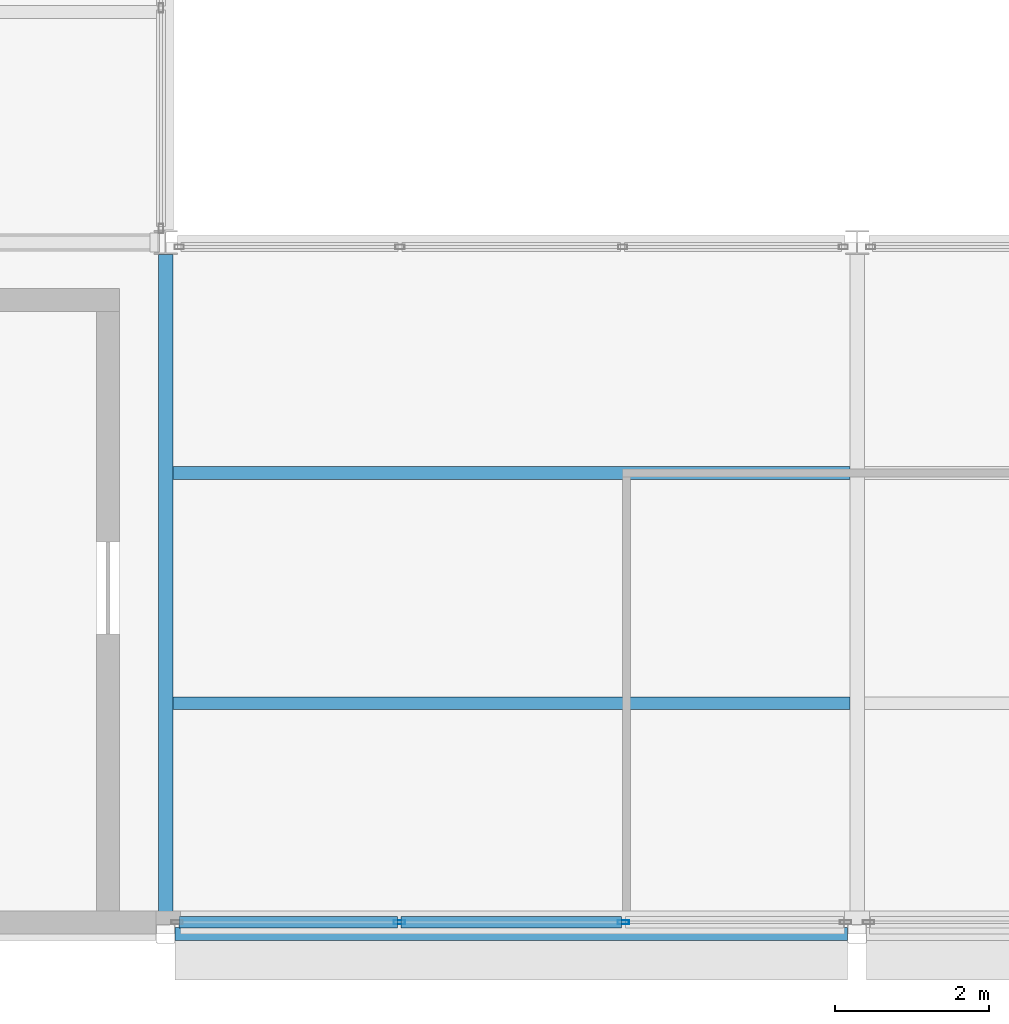
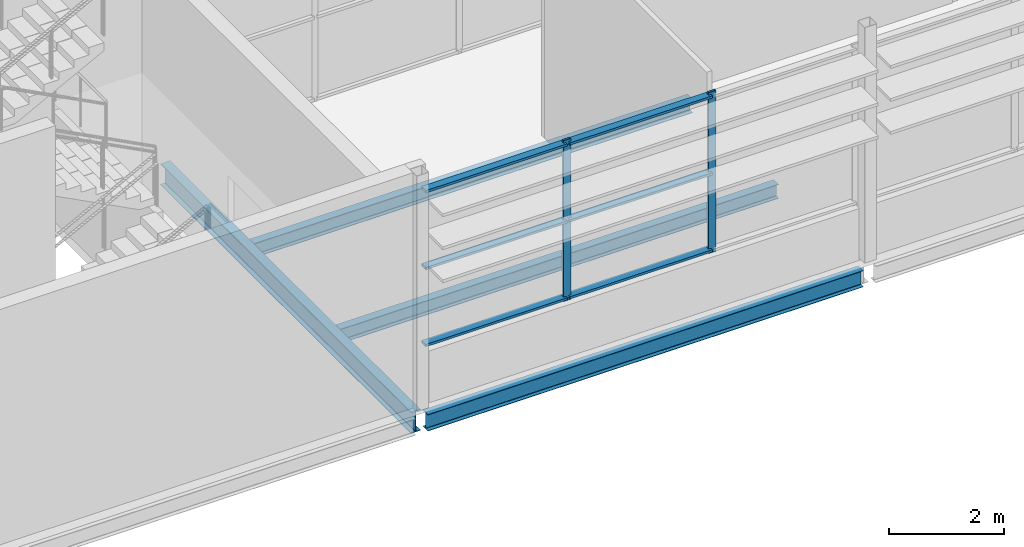
# One storey, part 8 of 61: 8 members, 4 beams, 1 element without a shape of its own.
"""IFC4 building model written with IfcOpenShell, lengths in metres."""

import ifcopenshell
import ifcopenshell.guid

model = None  # the IFC model being written
_history = None  # IfcOwnerHistory: only IFC2X3 demands one
_inside = {}  # id of a spatial element -> (the spatial element, [elements in it])
_under = {}  # id of a project, library or spatial element -> (it, [spatial elements below it])
_declared = {}  # id of a project -> (the project, [libraries it declares])
_typed = {}  # id of a type object -> (the type object, [elements of that type])
_made_of = {}  # id of a material, layer set ... -> (it, [elements and type objects made of it])


def new_model(schema):
    """Start an empty IFC model of exactly this schema.

    Asked for "IFC4X3", IfcOpenShell would pick the latest addendum, in which some entities
    have other attributes; the version numbers below select the first issue.
    IFC2X3 requires an IfcOwnerHistory on every rooted entity: one is made here for all.
    """
    global model, _history
    if schema == "IFC4X3":
        model = ifcopenshell.file(schema_version=(4, 3, 0, 0))
    else:
        model = ifcopenshell.file(schema=schema)
    _inside.clear()
    _under.clear()
    _declared.clear()
    _typed.clear()
    _made_of.clear()
    _history = None
    if model.schema == "IFC2X3":
        org = make("IfcOrganization", Name="unknown")
        user = make(
            "IfcPersonAndOrganization",
            ThePerson=make("IfcPerson", FamilyName="unknown"),
            TheOrganization=org,
        )
        app = make(
            "IfcApplication",
            ApplicationDeveloper=org,
            Version="unknown",
            ApplicationFullName="unknown",
            ApplicationIdentifier="unknown",
        )
        _history = make(
            "IfcOwnerHistory",
            OwningUser=user,
            OwningApplication=app,
            ChangeAction="ADDED",
            CreationDate=0,
        )
    return model


def make(cls, **values):
    """One entity of the class cls with the attributes given. An attribute that is None is left unset."""
    return model.create_entity(
        cls, **{name: value for name, value in values.items() if value is not None}
    )


def rooted(cls, **values):
    """An entity with a GlobalId (a new one), such as an element, a storey or a relation."""
    return make(cls, GlobalId=ifcopenshell.guid.new(), OwnerHistory=_history, **values)


def si_unit(unit_type, name, prefix=None):
    """IfcSIUnit, for example si_unit("LENGTHUNIT", "METRE", prefix="MILLI")."""
    return make("IfcSIUnit", UnitType=unit_type, Prefix=prefix, Name=name)


def assignment(units):
    """IfcUnitAssignment: the units of a project."""
    return None if units is None else make("IfcUnitAssignment", Units=units)


def point(xyz):
    """IfcCartesianPoint."""
    return None if xyz is None else make("IfcCartesianPoint", Coordinates=xyz)


def direction(xyz):
    """IfcDirection."""
    return None if xyz is None else make("IfcDirection", DirectionRatios=xyz)


def frame(location, z_axis=None, x_axis=None):
    """IfcAxis2Placement3D, a coordinate frame: its origin and axes. An axis left out is left unset."""
    return make(
        "IfcAxis2Placement3D",
        Location=point(location),
        Axis=direction(z_axis),
        RefDirection=direction(x_axis),
    )


def frame_2d(location, x_axis=None):
    """IfcAxis2Placement2D, a coordinate frame in the plane: its origin and x axis."""
    return make(
        "IfcAxis2Placement2D", Location=point(location), RefDirection=direction(x_axis)
    )


def origin():
    """The frame at (0, 0, 0) with its axes left unset."""
    return frame((0.0, 0.0, 0.0))


def origin_2d():
    """The frame at (0, 0) in the plane with its x axis left unset."""
    return frame_2d((0.0, 0.0))


def place(relative_to, where):
    """IfcLocalPlacement: puts the frame where relative to a parent placement (None: the world)."""
    return make(
        "IfcLocalPlacement", PlacementRelTo=relative_to, RelativePlacement=where
    )


def context(
    kind, dimensions, precision=None, world=None, true_north=None, identifier=None
):
    """IfcGeometricRepresentationContext, for example the 3D "Model" context."""
    return make(
        "IfcGeometricRepresentationContext",
        ContextIdentifier=identifier,
        ContextType=kind,
        CoordinateSpaceDimension=dimensions,
        Precision=precision,
        WorldCoordinateSystem=world,
        TrueNorth=true_north,
    )


def subcontext(parent, identifier, kind, view, scale=None):
    """IfcGeometricRepresentationSubContext, for example "Body" below "Model"."""
    return make(
        "IfcGeometricRepresentationSubContext",
        ContextIdentifier=identifier,
        ContextType=kind,
        ParentContext=parent,
        TargetScale=scale,
        TargetView=view,
    )


def project(units=None, contexts=None):
    """IfcProject with its units and contexts."""
    return rooted(
        "IfcProject",
        Name="project",
        RepresentationContexts=contexts,
        UnitsInContext=assignment(units),
    )


def spatial(cls, under=None, at=None, **own):
    """A site, building, storey or space (cls), placed at a placement, below another one or the project."""
    s = rooted(cls, ObjectPlacement=at, **own)
    if under is not None:
        _under.setdefault(under.id(), (under, []))[1].append(s)
    return s


def profile(cls, at=None, kind="AREA", **sizes):
    """A parametric profile (cls). Its sizes go by their IFC names, for example OverallWidth=200.0."""
    return make(cls, ProfileType=kind, Position=at, **sizes)


def hollow_rectangle(**sizes):
    """IfcRectangleHollowProfileDef."""
    return profile("IfcRectangleHollowProfileDef", **sizes)


def i_section(**sizes):
    """IfcIShapeProfileDef."""
    return profile("IfcIShapeProfileDef", **sizes)


def extrude(swept, where, along, depth):
    """IfcExtrudedAreaSolid: the profile swept, set in the frame where, extruded along a direction by depth."""
    return make(
        "IfcExtrudedAreaSolid",
        SweptArea=swept,
        Position=where,
        ExtrudedDirection=direction(along),
        Depth=depth,
    )


def shape(context_of_items, identifier, shape_type, items):
    """IfcShapeRepresentation: the items that make up one representation, for example the "Body"."""
    return make(
        "IfcShapeRepresentation",
        ContextOfItems=context_of_items,
        RepresentationIdentifier=identifier,
        RepresentationType=shape_type,
        Items=items,
    )


def material(Name=None, Category=None):
    """IfcMaterial."""
    return make("IfcMaterial", Name=Name, Category=Category)


def layer(
    of_material, thickness, ventilated=None, Name=None, Category=None, Priority=None
):
    """IfcMaterialLayer: one layer of a wall or slab, of a material (None: an air gap)."""
    return make(
        "IfcMaterialLayer",
        Material=of_material,
        LayerThickness=thickness,
        IsVentilated=ventilated,
        Name=Name,
        Category=Category,
        Priority=Priority,
    )


def layer_set(layers, Name=None):
    """IfcMaterialLayerSet."""
    return make("IfcMaterialLayerSet", MaterialLayers=layers, LayerSetName=Name)


def material_profile(
    of_material, cross_section, Name=None, Category=None, Priority=None
):
    """IfcMaterialProfile: a cross section and its material."""
    return make(
        "IfcMaterialProfile",
        Name=Name,
        Material=of_material,
        Profile=cross_section,
        Priority=Priority,
        Category=Category,
    )


def profile_set(profiles, Name=None, composite=None):
    """IfcMaterialProfileSet."""
    return make(
        "IfcMaterialProfileSet",
        Name=Name,
        MaterialProfiles=profiles,
        CompositeProfile=composite,
    )


def made_of(thing, what):
    """Note that an element or type object is made of a material, layer set ...; save() writes the relation."""
    if what is not None:
        _made_of.setdefault(what.id(), (what, []))[1].append(thing)
    return thing


def type_object(cls, material=None, **own):
    """A type object (cls), such as IfcWallType, which elements share."""
    return made_of(rooted(cls, **own), material)


def element(
    cls,
    number,
    at=None,
    inside=None,
    cuts=None,
    type_object=None,
    material=None,
    context=None,
    identifier="Body",
    shape_type=None,
    held_by="IfcProductDefinitionShape",
    body=None,
    shapes=None,
    **own,
):
    """One element of the class cls, such as IfcWall. Its Tag is "e" and its number.

    at: its placement. inside: the storey or other place that contains it. cuts: it is an
    opening in that element (IfcRelVoidsElement). A single representation is given by context,
    identifier, shape_type and body (its items); several are given by shapes. held_by: the class
    of the entity that holds the representations. save() writes the other relations.
    """
    e = rooted(cls, Tag="e%d" % number, ObjectPlacement=at, **own)
    if body is not None:
        shapes = [shape(context, identifier, shape_type, body)]
    if shapes is not None:
        e.Representation = make(held_by, Representations=shapes)
    if inside is not None:
        _inside.setdefault(inside.id(), (inside, []))[1].append(e)
    if cuts is not None:
        rooted(
            "IfcRelVoidsElement", RelatingBuildingElement=cuts, RelatedOpeningElement=e
        )
    if type_object is not None:
        _typed.setdefault(type_object.id(), (type_object, []))[1].append(e)
    return made_of(e, material)


def aggregate(whole, parts):
    """IfcRelAggregates: a whole, such as a stair, and the parts it consists of."""
    return rooted("IfcRelAggregates", RelatingObject=whole, RelatedObjects=parts)


def save(model, path):
    """Write the relations noted so far, then the file.

    IfcRelAggregates (storeys below a building ...), IfcRelContainedInSpatialStructure (elements
    in a storey), IfcRelDefinesByType, IfcRelAssociatesMaterial and IfcRelDeclares: one each for
    every whole, place, type object, material and project.
    """
    for whole, parts in _under.values():
        aggregate(whole, parts)
    for where, things in _inside.values():
        rooted(
            "IfcRelContainedInSpatialStructure",
            RelatedElements=things,
            RelatingStructure=where,
        )
    for kind, things in _typed.values():
        rooted("IfcRelDefinesByType", RelatedObjects=things, RelatingType=kind)
    for what, things in _made_of.values():
        rooted("IfcRelAssociatesMaterial", RelatedObjects=things, RelatingMaterial=what)
    for by, libraries in _declared.values():
        rooted("IfcRelDeclares", RelatingContext=by, RelatedDefinitions=libraries)
    model.write(path)


model = new_model("IFC4")

# Units and contexts
model_context = context("Model", 3, precision=1e-05, world=origin(), true_north=direction((0.0, 1.0)))
body_context = subcontext(model_context, "Body", "Model", "MODEL_VIEW")
ifc_project = project(units=[si_unit("LENGTHUNIT", "METRE"), si_unit("AREAUNIT", "SQUARE_METRE"), si_unit("VOLUMEUNIT", "CUBIC_METRE"), si_unit("PLANEANGLEUNIT", "RADIAN"), si_unit("MASSUNIT", "GRAM", prefix="KILO")], contexts=[model_context])

# Site, building, storey
site_placement = place(None, origin())
site = spatial("IfcSite", under=ifc_project, at=site_placement, CompositionType="ELEMENT")
building_placement = place(site_placement, origin())
building = spatial("IfcBuilding", under=site, at=building_placement, Name="Shorebreak Coast Museum", CompositionType="ELEMENT")
storey_placement = place(building_placement, frame((0.0, 0.0, 26.0)))
storey = spatial("IfcBuildingStorey", under=building, at=storey_placement, Name="L04", CompositionType="ELEMENT", Elevation=26.0)

# Beams
ifc_material_1 = material(Name="Steel Grade 300", Category="steel")
ifc_material_profile_1 = material_profile(ifc_material_1, i_section(OverallWidth=0.1708984375, OverallDepth=0.35205078125, WebThickness=0.0068359375, FlangeThickness=0.009765625, FilletRadius=0.011474609375, at=origin_2d()), Name="360UB44.7")
ifc_profile_set_1 = profile_set([ifc_material_profile_1], Name="Steel Grade 300")
beam_type_1 = type_object("IfcBeamType", Name="Floor girder east-west 360UB44.7", PredefinedType="BEAM", material=ifc_profile_set_1)
beam_1_placement = place(storey_placement, frame((63.125, 54.0, -0.35107421875), z_axis=(1.0, 0.0, 0.0), x_axis=(0.0, 1.0, 0.0)))
element("IfcBeam", 1, at=beam_1_placement, inside=storey, type_object=beam_type_1, Name="Floor girder east-west L04 8G", PredefinedType="BEAM", context=body_context, shape_type="SweptSolid", body=[
    extrude(i_section(OverallWidth=0.1708984375, OverallDepth=0.35205078125, WebThickness=0.0068359375, FlangeThickness=0.009765625, FilletRadius=0.011474609375, at=origin_2d()), origin(), (0.0, 0.0, 1.0), 8.75),
])
ifc_material_2 = material(Name="Steel Grade 300", Category="steel")
ifc_material_profile_2 = material_profile(ifc_material_2, i_section(OverallWidth=0.18994140625, OverallDepth=0.453857421875, WebThickness=0.008544921875, FlangeThickness=0.0126953125, FilletRadius=0.011474609375, at=origin_2d()), Name="460UB67.1")
ifc_profile_set_2 = profile_set([ifc_material_profile_2], Name="Steel Grade 300")
beam_type_2 = type_object("IfcBeamType", Name="Floor girder north-south 460UB67.1", PredefinedType="BEAM", material=ifc_profile_set_2)
beam_2_placement = place(storey_placement, frame((63.0, 54.125, -0.40185546875), z_axis=(0.0, 1.0, 0.0), x_axis=(-1.0, 0.0, 0.0)))
element("IfcBeam", 2, at=beam_2_placement, inside=storey, type_object=beam_type_2, Name="Floor girder north-south L04 8G", PredefinedType="BEAM", context=body_context, shape_type="SweptSolid", body=[
    extrude(i_section(OverallWidth=0.18994140625, OverallDepth=0.453857421875, WebThickness=0.008544921875, FlangeThickness=0.0126953125, FilletRadius=0.011474609375, at=origin_2d()), origin(), (0.0, 0.0, 1.0), 8.714599609375),
])
ifc_material_3 = material(Name="Steel Grade 300", Category="steel")
ifc_material_profile_3 = material_profile(ifc_material_3, i_section(OverallWidth=0.1650390625, OverallDepth=0.303955078125, WebThickness=0.006103515625, FlangeThickness=0.01025390625, FilletRadius=0.011474609375, at=origin_2d()), Name="310UB40.4")
ifc_profile_set_3 = profile_set([ifc_material_profile_3], Name="Steel Grade 300")
beam_type_3 = type_object("IfcBeamType", Name="Floor joist 310UB40.4", PredefinedType="JOIST", material=ifc_profile_set_3)
for number, where, z_axis, x_axis, name in (
    (3, (63.094970703125, 57.0, -0.326904296875), (1.0, 0.0, 0.0), (0.0, 1.0, 0.0), "Floor joist L04 bay 8G at 3000 mm"),
    (4, (63.094970703125, 60.0, -0.326904296875), (1.0, 0.0, 0.0), (0.0, 1.0, 0.0), "Floor joist L04 bay 8G at 6000 mm"),
):
    element("IfcBeam", number, at=place(storey_placement, frame(where, z_axis=z_axis, x_axis=x_axis)), inside=storey, type_object=beam_type_3, Name=name, PredefinedType="JOIST", context=body_context, shape_type="SweptSolid", body=[
        extrude(i_section(OverallWidth=0.1650390625, OverallDepth=0.303955078125, WebThickness=0.006103515625, FlangeThickness=0.01025390625, FilletRadius=0.011474609375, at=origin_2d()), origin(), (0.0, 0.0, 1.0), 8.81005859375),
    ])

# Curtain wall, members
ifc_material_4 = material(Name="Aluminium", Category="aluminium")
ifc_layer = layer(ifc_material_4, 0.14990234375)
ifc_layer_set = layer_set([ifc_layer], Name="Aluminium")
curtain_wall_type = type_object("IfcCurtainWallType", Name="Storefront curtain wall", PredefinedType="NOTDEFINED", material=ifc_layer_set)
curtain_wall_placement = place(storey_placement, origin())
curtain_wall = element("IfcCurtainWall", 5, at=curtain_wall_placement, inside=storey, type_object=curtain_wall_type, Name="Atrium Hall glazing L04 S 4", PredefinedType="NOTDEFINED")
ifc_material_5 = material(Name="Aluminium", Category="aluminium")
ifc_material_profile_4 = material_profile(ifc_material_5, hollow_rectangle(XDim=0.050048828125, YDim=0.14990234375, WallThickness=0.00390625, at=origin_2d()), Name="AL 150x50 RHS")
ifc_profile_set_4 = profile_set([ifc_material_profile_4], Name="Aluminium")
member_type_1 = type_object("IfcMemberType", Name="Storefront mullion 50 x 150", PredefinedType="MULLION", material=ifc_profile_set_4)
member_1_placement = place(storey_placement, frame((66.041748046875, 54.14990234375, 1.10009765625), z_axis=(0.0, 0.0, 1.0), x_axis=(0.0, 1.0, 0.0)))
member_1 = element("IfcMember", 6, at=member_1_placement, type_object=member_type_1, Name="CW5 mullion 2", PredefinedType="MULLION", context=body_context, shape_type="SweptSolid", body=[
    extrude(hollow_rectangle(XDim=0.050048828125, YDim=0.14990234375, WallThickness=0.00390625, at=origin_2d()), origin(), (0.0, 0.0, 1.0), 3.417724609375),
])
member_2_placement = place(storey_placement, frame((68.958251953125, 54.14990234375, 1.10009765625), z_axis=(0.0, 0.0, 1.0), x_axis=(0.0, 1.0, 0.0)))
member_2 = element("IfcMember", 7, at=member_2_placement, type_object=member_type_1, Name="CW5 mullion 3", PredefinedType="MULLION", context=body_context, shape_type="SweptSolid", body=[
    extrude(hollow_rectangle(XDim=0.050048828125, YDim=0.14990234375, WallThickness=0.00390625, at=origin_2d()), origin(), (0.0, 0.0, 1.0), 3.417724609375),
])
ifc_material_6 = material(Name="Aluminium", Category="aluminium")
ifc_material_profile_5 = material_profile(ifc_material_6, hollow_rectangle(XDim=0.14990234375, YDim=0.050048828125, WallThickness=0.00390625, at=origin_2d()), Name="AL 50x150 RHS")
ifc_profile_set_5 = profile_set([ifc_material_profile_5], Name="Aluminium")
member_type_2 = type_object("IfcMemberType", Name="Storefront transom 150 x 50", PredefinedType="USERDEFINED", material=ifc_profile_set_5)
member_3_placement = place(storey_placement, frame((63.175048828125, 54.14990234375, 1.175048828125), z_axis=(1.0, 0.0, 0.0), x_axis=(0.0, 1.0, 0.0)))
member_3 = element("IfcMember", 8, at=member_3_placement, type_object=member_type_2, Name="CW5 transom 1.1", ObjectType="TRANSOM", PredefinedType="USERDEFINED", context=body_context, shape_type="SweptSolid", body=[
    extrude(hollow_rectangle(XDim=0.14990234375, YDim=0.050048828125, WallThickness=0.00390625, at=origin_2d()), origin(), (0.0, 0.0, 1.0), 2.841552734375),
])
member_4_placement = place(storey_placement, frame((63.175048828125, 54.14990234375, 2.808837890625), z_axis=(1.0, 0.0, 0.0), x_axis=(0.0, 1.0, 0.0)))
member_4 = element("IfcMember", 9, at=member_4_placement, type_object=member_type_2, Name="CW5 transom 1.2", ObjectType="TRANSOM", PredefinedType="USERDEFINED", context=body_context, shape_type="SweptSolid", body=[
    extrude(hollow_rectangle(XDim=0.14990234375, YDim=0.050048828125, WallThickness=0.00390625, at=origin_2d()), origin(), (0.0, 0.0, 1.0), 2.841552734375),
])
member_5_placement = place(storey_placement, frame((63.175048828125, 54.14990234375, 4.44287109375), z_axis=(1.0, 0.0, 0.0), x_axis=(0.0, 1.0, 0.0)))
member_5 = element("IfcMember", 10, at=member_5_placement, type_object=member_type_2, Name="CW5 transom 1.3", ObjectType="TRANSOM", PredefinedType="USERDEFINED", context=body_context, shape_type="SweptSolid", body=[
    extrude(hollow_rectangle(XDim=0.14990234375, YDim=0.050048828125, WallThickness=0.00390625, at=origin_2d()), origin(), (0.0, 0.0, 1.0), 2.841552734375),
])
member_6_placement = place(storey_placement, frame((66.066650390625, 54.14990234375, 1.175048828125), z_axis=(1.0, 0.0, 0.0), x_axis=(0.0, 1.0, 0.0)))
member_6 = element("IfcMember", 11, at=member_6_placement, type_object=member_type_2, Name="CW5 transom 2.1", ObjectType="TRANSOM", PredefinedType="USERDEFINED", context=body_context, shape_type="SweptSolid", body=[
    extrude(hollow_rectangle(XDim=0.14990234375, YDim=0.050048828125, WallThickness=0.00390625, at=origin_2d()), origin(), (0.0, 0.0, 1.0), 2.86669921875),
])
member_7_placement = place(storey_placement, frame((66.066650390625, 54.14990234375, 2.808837890625), z_axis=(1.0, 0.0, 0.0), x_axis=(0.0, 1.0, 0.0)))
member_7 = element("IfcMember", 12, at=member_7_placement, type_object=member_type_2, Name="CW5 transom 2.2", ObjectType="TRANSOM", PredefinedType="USERDEFINED", context=body_context, shape_type="SweptSolid", body=[
    extrude(hollow_rectangle(XDim=0.14990234375, YDim=0.050048828125, WallThickness=0.00390625, at=origin_2d()), origin(), (0.0, 0.0, 1.0), 2.86669921875),
])
member_8_placement = place(storey_placement, frame((66.066650390625, 54.14990234375, 4.44287109375), z_axis=(1.0, 0.0, 0.0), x_axis=(0.0, 1.0, 0.0)))
member_8 = element("IfcMember", 13, at=member_8_placement, type_object=member_type_2, Name="CW5 transom 2.3", ObjectType="TRANSOM", PredefinedType="USERDEFINED", context=body_context, shape_type="SweptSolid", body=[
    extrude(hollow_rectangle(XDim=0.14990234375, YDim=0.050048828125, WallThickness=0.00390625, at=origin_2d()), origin(), (0.0, 0.0, 1.0), 2.86669921875),
])
aggregate(curtain_wall, [member_1, member_2, member_3, member_4, member_5, member_6, member_7, member_8])

save(model, "model.ifc")
